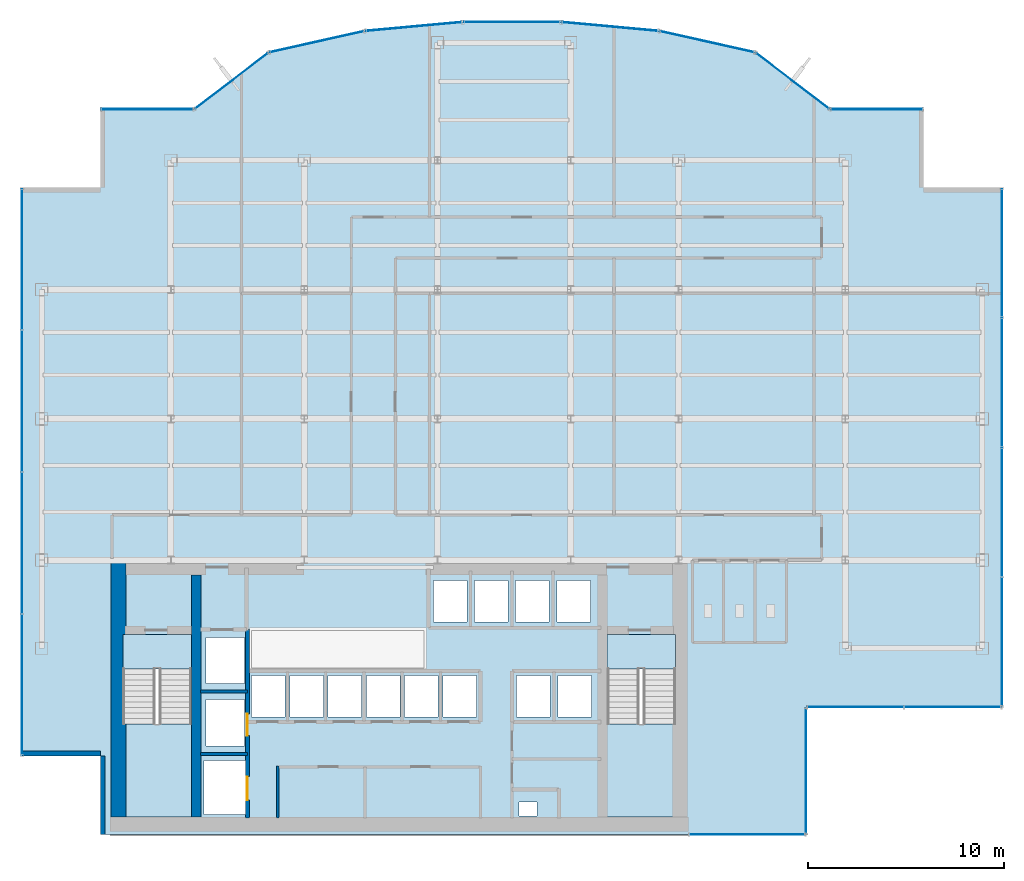
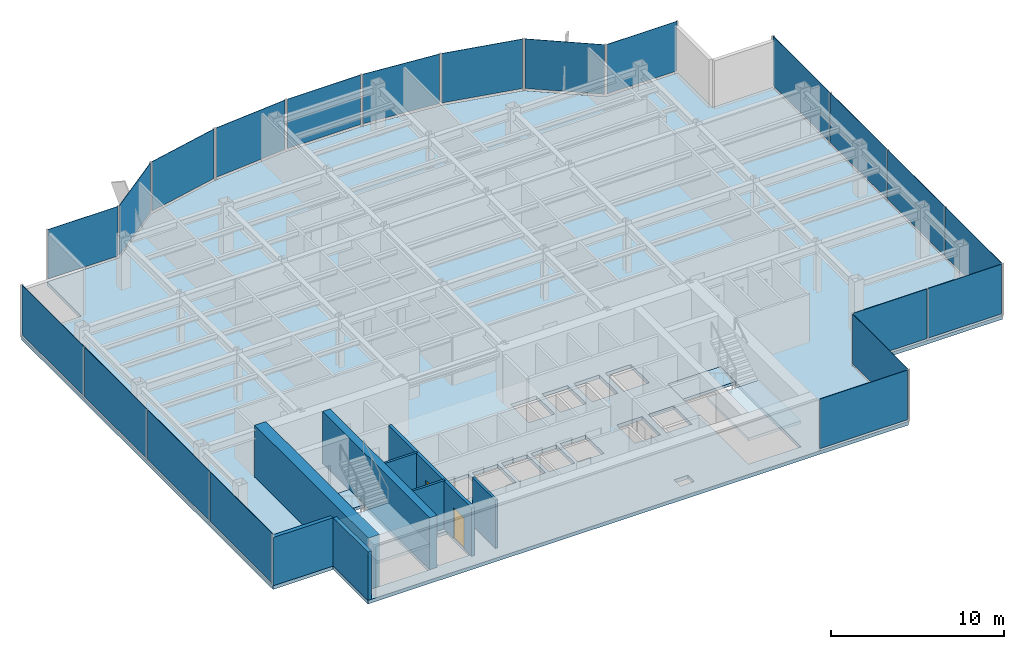
# One storey, part 19 of 25: 21 plates, 8 walls, 5 slabs, 2 doors, 2 openings, 16 elements without a shape of their own.
"""IFC4 building model written with IfcOpenShell, lengths in metres."""

from ifc_helpers import new_model, si_unit, derived_unit, direction, frame, frame_2d, origin, origin_2d, place, context, subcontext, project, spatial, polyline, rectangle, outline, extrude, source, transform, mapped, material, layer, layer_set, type_object, element, fill, aggregate, save


model = new_model("IFC4")

# Units and contexts
model_context = context("Model", 3, precision=1e-05, world=origin(), true_north=direction((0.0, 1.0)))
body_context = subcontext(model_context, "Body", "Model", "MODEL_VIEW")
ifc_project = project(units=[si_unit("LENGTHUNIT", "METRE"), si_unit("AREAUNIT", "SQUARE_METRE"), si_unit("VOLUMEUNIT", "CUBIC_METRE"), si_unit("PLANEANGLEUNIT", "RADIAN"), si_unit("MASSUNIT", "GRAM", prefix="KILO"), derived_unit("THERMALTRANSMITTANCEUNIT", [(si_unit("POWERUNIT", "WATT"), 1), (si_unit("LENGTHUNIT", "METRE"), -2), (si_unit("THERMODYNAMICTEMPERATUREUNIT", "KELVIN"), -1)])], contexts=[model_context])

# Site, building, storey
site_placement = place(None, origin())
site = spatial("IfcSite", under=ifc_project, at=site_placement, CompositionType="ELEMENT")
building_placement = place(site_placement, origin())
building = spatial("IfcBuilding", under=site, at=building_placement, Name="Skarnbrae Concourse Arena and Tower", CompositionType="ELEMENT")
storey_placement = place(building_placement, frame((0.0, 0.0, 158.85009765625)))
storey = spatial("IfcBuildingStorey", under=building, at=storey_placement, Name="L40", CompositionType="ELEMENT", Elevation=158.85009765625)

# Stair, slab
ifc_material_1 = material(Name="Concrete 40 MPa (C40/50)", Category="concrete")
stair_type = type_object("IfcStairType", Name="STAIR-DOGLEG-1650", PredefinedType="HALF_TURN_STAIR", material=ifc_material_1)
stair_1_placement = place(storey_placement, origin())
stair_1 = element("IfcStair", 1, at=stair_1_placement, inside=storey, type_object=stair_type, Name="L40 Protected Exit Stair ST-1", PredefinedType="HALF_TURN_STAIR")
ifc_layer_1 = layer(ifc_material_1, 0.199951171875)
ifc_layer_set_1 = layer_set([ifc_layer_1], Name="Concrete 40 MPa (C40/50)")
slab_type_1 = type_object("IfcSlabType", Name="SLAB-LANDING-200", PredefinedType="LANDING", material=ifc_layer_set_1)
slab_1_placement = place(storey_placement, frame((0.0, 0.0, 1.625)))
slab_1 = element("IfcSlab", 2, at=slab_1_placement, type_object=slab_type_1, Name="ST-1 landing 1", PredefinedType="LANDING", context=body_context, shape_type="SweptSolid", body=[
    extrude(outline(polyline([(5.14990234375, 5.64990234375), (5.14990234375, 0.89990234375), (8.64990234375, 0.89990234375), (8.64990234375, 5.64990234375), (5.14990234375, 5.64990234375)])), origin(), (0.0, 0.0, 1.0), 0.199951171875),
])
aggregate(stair_1, [slab_1])

stair_2_placement = place(storey_placement, origin())
stair_2 = element("IfcStair", 3, at=stair_2_placement, inside=storey, type_object=stair_type, Name="L40 Protected Exit Stair ST-2", PredefinedType="HALF_TURN_STAIR")
slab_2_placement = place(storey_placement, frame((0.0, 0.0, 1.625)))
slab_2 = element("IfcSlab", 4, at=slab_2_placement, type_object=slab_type_1, Name="ST-2 landing 1", PredefinedType="LANDING", context=body_context, shape_type="SweptSolid", body=[
    extrude(outline(polyline([(29.85009765625, 5.64990234375), (29.85009765625, 0.89990234375), (33.35009765625, 0.89990234375), (33.35009765625, 5.64990234375), (29.85009765625, 5.64990234375)])), origin(), (0.0, 0.0, 1.0), 0.199951171875),
])
aggregate(stair_2, [slab_2])

# Slabs
slab_3_placement = place(storey_placement, frame((0.0, 0.0, -0.2001953125)))
element("IfcSlab", 5, at=slab_3_placement, inside=storey, type_object=slab_type_1, Name="L40 Core stair ST1 floor landing", PredefinedType="LANDING", context=body_context, shape_type="SweptSolid", body=[
    extrude(outline(polyline([(5.14990234375, 10.199951171875), (5.14990234375, 8.449951171875), (8.64990234375, 8.449951171875), (8.64990234375, 10.199951171875), (5.14990234375, 10.199951171875)])), origin(), (0.0, 0.0, 1.0), 0.2001953125),
])
slab_4_placement = place(storey_placement, frame((0.0, 0.0, -0.2001953125)))
element("IfcSlab", 6, at=slab_4_placement, inside=storey, type_object=slab_type_1, Name="L40 Core stair ST2 floor landing", PredefinedType="LANDING", context=body_context, shape_type="SweptSolid", body=[
    extrude(outline(polyline([(29.85009765625, 10.199951171875), (29.85009765625, 8.449951171875), (33.35009765625, 8.449951171875), (33.35009765625, 10.199951171875), (29.85009765625, 10.199951171875)])), origin(), (0.0, 0.0, 1.0), 0.2001953125),
])
ifc_layer_2 = layer(ifc_material_1, 0.25)
ifc_layer_set_2 = layer_set([ifc_layer_2], Name="Concrete 40 MPa (C40/50)")
slab_type_2 = type_object("IfcSlabType", Name="SLAB-TOWER-250", PredefinedType="FLOOR", material=ifc_layer_set_2)
slab_5_placement = place(storey_placement, frame((0.0, 0.0, -0.25)))
element("IfcSlab", 7, at=slab_5_placement, inside=storey, type_object=slab_type_2, Name="L40 Structural floor slab", PredefinedType="FLOOR", context=body_context, shape_type="SweptSolid", body=[
    extrude(outline(polyline([(4.0, 0.0), (40.0, 0.0), (40.0, 6.5), (50.0, 6.5), (50.0, 33.0), (46.0, 33.0), (46.0, 37.0), (41.199951171875, 37.0), (37.409423828125, 39.892578125), (32.51220703125, 40.98681640625), (27.51123046875, 41.445556640625), (22.48876953125, 41.445556640625), (17.48779296875, 40.98681640625), (12.590576171875, 39.892578125), (8.800048828125, 37.0), (4.0, 37.0), (4.0, 33.0), (0.0, 33.0), (0.0, 4.0), (4.0, 4.0), (4.0, 0.0)]), holes=[polyline([(9.294921875, 3.780029296875), (11.455078125, 3.780029296875), (11.455078125, 1.02001953125), (9.294921875, 1.02001953125), (9.294921875, 3.780029296875)]), polyline([(8.64990234375, 10.199951171875), (8.64990234375, 0.89990234375), (5.14990234375, 0.89990234375), (5.14990234375, 10.199951171875), (8.64990234375, 10.199951171875)]), polyline([(9.39501953125, 6.8798828125), (11.35498046875, 6.8798828125), (11.35498046875, 4.52001953125), (9.39501953125, 4.52001953125), (9.39501953125, 6.8798828125)]), polyline([(11.719970703125, 8.10498046875), (13.429931640625, 8.10498046875), (13.429931640625, 5.9951171875), (11.719970703125, 5.9951171875), (11.719970703125, 8.10498046875)]), polyline([(13.669921875, 8.10498046875), (15.3798828125, 8.10498046875), (15.3798828125, 5.9951171875), (13.669921875, 5.9951171875), (13.669921875, 8.10498046875)]), polyline([(15.6201171875, 8.10498046875), (17.330078125, 8.10498046875), (17.330078125, 5.9951171875), (15.6201171875, 5.9951171875), (15.6201171875, 8.10498046875)]), polyline([(17.570068359375, 8.10498046875), (19.280029296875, 8.10498046875), (19.280029296875, 5.9951171875), (17.570068359375, 5.9951171875), (17.570068359375, 8.10498046875)]), polyline([(21.22998046875, 8.10498046875), (21.22998046875, 5.9951171875), (19.52001953125, 5.9951171875), (19.52001953125, 8.10498046875), (21.22998046875, 8.10498046875)]), polyline([(11.35498046875, 10.054931640625), (11.35498046875, 7.695068359375), (9.39501953125, 7.695068359375), (9.39501953125, 10.054931640625), (11.35498046875, 10.054931640625)]), polyline([(25.35009765625, 1.669921875), (26.280029296875, 1.669921875), (26.280029296875, 0.949951171875), (25.35009765625, 0.949951171875), (25.35009765625, 1.669921875)]), polyline([(33.35009765625, 10.199951171875), (33.35009765625, 0.89990234375), (29.85009765625, 0.89990234375), (29.85009765625, 10.199951171875), (33.35009765625, 10.199951171875)]), polyline([(21.469970703125, 8.10498046875), (23.179931640625, 8.10498046875), (23.179931640625, 5.9951171875), (21.469970703125, 5.9951171875), (21.469970703125, 8.10498046875)]), polyline([(25.235107421875, 8.10498046875), (26.945068359375, 8.10498046875), (26.945068359375, 5.9951171875), (25.235107421875, 5.9951171875), (25.235107421875, 8.10498046875)]), polyline([(27.3349609375, 8.10498046875), (29.044921875, 8.10498046875), (29.044921875, 5.9951171875), (27.3349609375, 5.9951171875), (27.3349609375, 8.10498046875)]), polyline([(20.985107421875, 12.955078125), (22.695068359375, 12.955078125), (22.695068359375, 10.844970703125), (20.985107421875, 10.844970703125), (20.985107421875, 12.955078125)]), polyline([(23.0849609375, 12.955078125), (24.794921875, 12.955078125), (24.794921875, 10.844970703125), (23.0849609375, 10.844970703125), (23.0849609375, 12.955078125)]), polyline([(26.89501953125, 12.955078125), (26.89501953125, 10.844970703125), (25.18505859375, 10.844970703125), (25.18505859375, 12.955078125), (26.89501953125, 12.955078125)]), polyline([(28.9951171875, 12.955078125), (28.9951171875, 10.844970703125), (27.284912109375, 10.844970703125), (27.284912109375, 12.955078125), (28.9951171875, 12.955078125)])]), origin(), (0.0, 0.0, 1.0), 0.25),
])

# Curtain wall, plates
ifc_material_2 = material(Name="Bronze anodised aluminium 6063-T6", Category="aluminium")
curtain_wall_type_1 = type_object("IfcCurtainWallType", Name="CW-SYS-04-MIDZONE", PredefinedType="USERDEFINED", material=ifc_material_2)
curtain_wall_1_placement = place(storey_placement, origin())
curtain_wall_1 = element("IfcCurtainWall", 8, at=curtain_wall_1_placement, inside=storey, type_object=curtain_wall_type_1, Name="L40 Unitised curtain wall CW-L40-E03", ObjectType="UNITISED CURTAIN WALL", PredefinedType="USERDEFINED")
ifc_material_3 = material(Name="Low-E triple insulating glass", Category="glass")
ifc_layer_3 = layer(ifc_material_3, 0.031982421875)
ifc_layer_set_3 = layer_set([ifc_layer_3], Name="Low-E triple insulating glass")
plate_type_1 = type_object("IfcPlateType", Name="CWP-CW-04", PredefinedType="CURTAIN_PANEL", material=ifc_layer_set_3)
shared_shape_1 = source(origin(), body_context, "Body", "SweptSolid", [
    extrude(rectangle(XDim=4.887451171875, YDim=0.031982421875, at=origin_2d()), origin(), (0.0, 0.0, 1.0), 3.489990234375),
])
plate_1_placement = place(storey_placement, frame((42.518798828125, 6.5, 0.15966796875), z_axis=(0.0, 0.0, 1.0), x_axis=(1.0, 0.0, 0.0)))
plate_1 = element("IfcPlate", 9, at=plate_1_placement, type_object=plate_type_1, Name="CW-L40-E03 Low-E Glazing Panel 1", PredefinedType="CURTAIN_PANEL", context=body_context, shape_type="MappedRepresentation", body=[
    mapped(shared_shape_1, transform((0.0, 0.0, 0.0))),
])
plate_2_placement = place(storey_placement, frame((47.481201171875, 6.5, 0.15966796875), z_axis=(0.0, 0.0, 1.0), x_axis=(1.0, 0.0, 0.0)))
plate_2 = element("IfcPlate", 10, at=plate_2_placement, type_object=plate_type_1, Name="CW-L40-E03 Low-E Glazing Panel 2", PredefinedType="CURTAIN_PANEL", context=body_context, shape_type="MappedRepresentation", body=[
    mapped(shared_shape_1, transform((0.0, 0.0, 0.0))),
])
aggregate(curtain_wall_1, [plate_1, plate_2])

# Curtain wall, plate
curtain_wall_2_placement = place(storey_placement, origin())
curtain_wall_2 = element("IfcCurtainWall", 11, at=curtain_wall_2_placement, inside=storey, type_object=curtain_wall_type_1, Name="L40 Unitised curtain wall CW-L40-SE-SPINE", ObjectType="UNITISED CURTAIN WALL", PredefinedType="USERDEFINED")
shared_shape_2 = source(origin(), body_context, "Body", "SweptSolid", [
    extrude(rectangle(XDim=5.85009765625, YDim=0.031982421875, at=origin_2d()), origin(), (0.0, 0.0, 1.0), 3.489990234375),
])
plate_3_placement = place(storey_placement, frame((37.0, 0.0, 0.15966796875), z_axis=(0.0, 0.0, 1.0), x_axis=(1.0, 0.0, 0.0)))
plate_3 = element("IfcPlate", 12, at=plate_3_placement, type_object=plate_type_1, Name="CW-L40-SE-SPINE Low-E Glazing Panel 1", PredefinedType="CURTAIN_PANEL", context=body_context, shape_type="MappedRepresentation", body=[
    mapped(shared_shape_2, transform((0.0, 0.0, 0.0))),
])
aggregate(curtain_wall_2, [plate_3])

curtain_wall_3_placement = place(storey_placement, origin())
curtain_wall_3 = element("IfcCurtainWall", 13, at=curtain_wall_3_placement, inside=storey, type_object=curtain_wall_type_1, Name="L40 Unitised curtain wall CW-L40-E02", ObjectType="UNITISED CURTAIN WALL", PredefinedType="USERDEFINED")
shared_shape_3 = source(origin(), body_context, "Body", "SweptSolid", [
    extrude(rectangle(XDim=6.35009765625, YDim=0.031982421875, at=origin_2d()), origin(), (0.0, 0.0, 1.0), 3.489990234375),
])
plate_4_placement = place(storey_placement, frame((40.0, 3.25, 0.15966796875), z_axis=(0.0, 0.0, 1.0), x_axis=(0.0, 1.0, 0.0)))
plate_4 = element("IfcPlate", 14, at=plate_4_placement, type_object=plate_type_1, Name="CW-L40-E02 Low-E Glazing Panel 1", PredefinedType="CURTAIN_PANEL", context=body_context, shape_type="MappedRepresentation", body=[
    mapped(shared_shape_3, transform((0.0, 0.0, 0.0))),
])
aggregate(curtain_wall_3, [plate_4])

curtain_wall_4_placement = place(storey_placement, origin())
curtain_wall_4 = element("IfcCurtainWall", 15, at=curtain_wall_4_placement, inside=storey, type_object=curtain_wall_type_1, Name="L40 Unitised curtain wall CW-L40-E07", ObjectType="UNITISED CURTAIN WALL", PredefinedType="USERDEFINED")
shared_shape_4 = source(origin(), body_context, "Body", "SweptSolid", [
    extrude(rectangle(XDim=4.64990234375, YDim=0.031982421875, at=origin_2d()), origin(), (0.0, 0.0, 1.0), 3.489990234375),
])
plate_5_placement = place(storey_placement, frame((43.60009765625, 37.0, 0.15966796875), z_axis=(0.0, 0.0, 1.0), x_axis=(-1.0, 0.0, 0.0)))
plate_5 = element("IfcPlate", 16, at=plate_5_placement, type_object=plate_type_1, Name="CW-L40-E07 Low-E Glazing Panel 1", PredefinedType="CURTAIN_PANEL", context=body_context, shape_type="MappedRepresentation", body=[
    mapped(shared_shape_4, transform((0.0, 0.0, 0.0))),
])
aggregate(curtain_wall_4, [plate_5])

curtain_wall_5_placement = place(storey_placement, origin())
curtain_wall_5 = element("IfcCurtainWall", 17, at=curtain_wall_5_placement, inside=storey, type_object=curtain_wall_type_1, Name="L40 Unitised curtain wall CW-L40-E15", ObjectType="UNITISED CURTAIN WALL", PredefinedType="USERDEFINED")
plate_6_placement = place(storey_placement, frame((6.39990234375, 37.0, 0.15966796875), z_axis=(0.0, 0.0, 1.0), x_axis=(-1.0, 0.0, 0.0)))
plate_6 = element("IfcPlate", 18, at=plate_6_placement, type_object=plate_type_1, Name="CW-L40-E15 Low-E Glazing Panel 1", PredefinedType="CURTAIN_PANEL", context=body_context, shape_type="MappedRepresentation", body=[
    mapped(shared_shape_4, transform((0.0, 0.0, 0.0))),
])
aggregate(curtain_wall_5, [plate_6])

curtain_wall_6_placement = place(storey_placement, origin())
curtain_wall_6 = element("IfcCurtainWall", 19, at=curtain_wall_6_placement, inside=storey, type_object=curtain_wall_type_1, Name="L40 Unitised curtain wall CW-L40-E08", ObjectType="UNITISED CURTAIN WALL", PredefinedType="USERDEFINED")
shared_shape_5 = source(origin(), body_context, "Body", "SweptSolid", [
    extrude(rectangle(XDim=4.6181640625, YDim=0.031982421875, at=origin_2d()), origin(), (0.0, 0.0, 1.0), 3.489990234375),
])
plate_7_placement = place(storey_placement, frame((39.3046875, 38.4462890625, 0.15966796875), z_axis=(0.0, 0.0, 1.0), x_axis=(-0.794956000706, 0.606667089054, 0.0)))
plate_7 = element("IfcPlate", 20, at=plate_7_placement, type_object=plate_type_1, Name="CW-L40-E08 Low-E Glazing Panel 1", PredefinedType="CURTAIN_PANEL", context=body_context, shape_type="MappedRepresentation", body=[
    mapped(shared_shape_5, transform((0.0, 0.0, 0.0))),
])
aggregate(curtain_wall_6, [plate_7])

curtain_wall_7_placement = place(storey_placement, origin())
curtain_wall_7 = element("IfcCurtainWall", 21, at=curtain_wall_7_placement, inside=storey, type_object=curtain_wall_type_1, Name="L40 Unitised curtain wall CW-L40-E14", ObjectType="UNITISED CURTAIN WALL", PredefinedType="USERDEFINED")
plate_8_placement = place(storey_placement, frame((10.6953125, 38.4462890625, 0.15966796875), z_axis=(0.0, 0.0, 1.0), x_axis=(-0.794956000706, -0.606667089054, 0.0)))
plate_8 = element("IfcPlate", 22, at=plate_8_placement, type_object=plate_type_1, Name="CW-L40-E14 Low-E Glazing Panel 1", PredefinedType="CURTAIN_PANEL", context=body_context, shape_type="MappedRepresentation", body=[
    mapped(shared_shape_5, transform((0.0, 0.0, 0.0))),
])
aggregate(curtain_wall_7, [plate_8])

# Curtain wall, plates
curtain_wall_8_placement = place(storey_placement, origin())
curtain_wall_8 = element("IfcCurtainWall", 23, at=curtain_wall_8_placement, inside=storey, type_object=curtain_wall_type_1, Name="L40 Unitised curtain wall CW-L40-E18", ObjectType="UNITISED CURTAIN WALL", PredefinedType="USERDEFINED")
shared_shape_6 = source(origin(), body_context, "Body", "SweptSolid", [
    extrude(rectangle(XDim=7.137451171875, YDim=0.031982421875, at=origin_2d()), origin(), (0.0, 0.0, 1.0), 3.489990234375),
])
plate_9_placement = place(storey_placement, frame((0.0, 29.356201171875, 0.15966796875), z_axis=(0.0, 0.0, 1.0), x_axis=(0.0, -1.0, 0.0)))
plate_9 = element("IfcPlate", 24, at=plate_9_placement, type_object=plate_type_1, Name="CW-L40-E18 Low-E Glazing Panel 1", PredefinedType="CURTAIN_PANEL", context=body_context, shape_type="MappedRepresentation", body=[
    mapped(shared_shape_6, transform((0.0, 0.0, 0.0))),
])
plate_10_placement = place(storey_placement, frame((0.0, 7.643798828125, 0.15966796875), z_axis=(0.0, 0.0, 1.0), x_axis=(0.0, -1.0, 0.0)))
plate_10 = element("IfcPlate", 25, at=plate_10_placement, type_object=plate_type_1, Name="CW-L40-E18 Low-E Glazing Panel 4", PredefinedType="CURTAIN_PANEL", context=body_context, shape_type="MappedRepresentation", body=[
    mapped(shared_shape_6, transform((0.0, 0.0, 0.0))),
])
shared_shape_7 = source(origin(), body_context, "Body", "SweptSolid", [
    extrude(rectangle(XDim=7.175048828125, YDim=0.031982421875, at=origin_2d()), origin(), (0.0, 0.0, 1.0), 3.489990234375),
])
plate_11_placement = place(storey_placement, frame((0.0, 22.125, 0.15966796875), z_axis=(0.0, 0.0, 1.0), x_axis=(0.0, -1.0, 0.0)))
plate_11 = element("IfcPlate", 26, at=plate_11_placement, type_object=plate_type_1, Name="CW-L40-E18 Low-E Glazing Panel 2", PredefinedType="CURTAIN_PANEL", context=body_context, shape_type="MappedRepresentation", body=[
    mapped(shared_shape_7, transform((0.0, 0.0, 0.0))),
])
plate_12_placement = place(storey_placement, frame((0.0, 14.875, 0.15966796875), z_axis=(0.0, 0.0, 1.0), x_axis=(0.0, -1.0, 0.0)))
plate_12 = element("IfcPlate", 27, at=plate_12_placement, type_object=plate_type_1, Name="CW-L40-E18 Low-E Glazing Panel 3", PredefinedType="CURTAIN_PANEL", context=body_context, shape_type="MappedRepresentation", body=[
    mapped(shared_shape_7, transform((0.0, 0.0, 0.0))),
])
aggregate(curtain_wall_8, [plate_9, plate_11, plate_12, plate_10])

curtain_wall_9_placement = place(storey_placement, origin())
curtain_wall_9 = element("IfcCurtainWall", 28, at=curtain_wall_9_placement, inside=storey, type_object=curtain_wall_type_1, Name="L40 Unitised curtain wall CW-L40-E04", ObjectType="UNITISED CURTAIN WALL", PredefinedType="USERDEFINED")
shared_shape_8 = source(origin(), body_context, "Body", "SweptSolid", [
    extrude(rectangle(XDim=6.512451171875, YDim=0.031982421875, at=origin_2d()), origin(), (0.0, 0.0, 1.0), 3.489990234375),
])
plate_13_placement = place(storey_placement, frame((50.0, 9.831298828125, 0.15966796875), z_axis=(0.0, 0.0, 1.0), x_axis=(0.0, 1.0, 0.0)))
plate_13 = element("IfcPlate", 29, at=plate_13_placement, type_object=plate_type_1, Name="CW-L40-E04 Low-E Glazing Panel 1", PredefinedType="CURTAIN_PANEL", context=body_context, shape_type="MappedRepresentation", body=[
    mapped(shared_shape_8, transform((0.0, 0.0, 0.0))),
])
plate_14_placement = place(storey_placement, frame((50.0, 29.668701171875, 0.15966796875), z_axis=(0.0, 0.0, 1.0), x_axis=(0.0, 1.0, 0.0)))
plate_14 = element("IfcPlate", 30, at=plate_14_placement, type_object=plate_type_1, Name="CW-L40-E04 Low-E Glazing Panel 4", PredefinedType="CURTAIN_PANEL", context=body_context, shape_type="MappedRepresentation", body=[
    mapped(shared_shape_8, transform((0.0, 0.0, 0.0))),
])
shared_shape_9 = source(origin(), body_context, "Body", "SweptSolid", [
    extrude(rectangle(XDim=6.550048828125, YDim=0.031982421875, at=origin_2d()), origin(), (0.0, 0.0, 1.0), 3.489990234375),
])
plate_15_placement = place(storey_placement, frame((50.0, 16.4375, 0.15966796875), z_axis=(0.0, 0.0, 1.0), x_axis=(0.0, 1.0, 0.0)))
plate_15 = element("IfcPlate", 31, at=plate_15_placement, type_object=plate_type_1, Name="CW-L40-E04 Low-E Glazing Panel 2", PredefinedType="CURTAIN_PANEL", context=body_context, shape_type="MappedRepresentation", body=[
    mapped(shared_shape_9, transform((0.0, 0.0, 0.0))),
])
plate_16_placement = place(storey_placement, frame((50.0, 23.0625, 0.15966796875), z_axis=(0.0, 0.0, 1.0), x_axis=(0.0, 1.0, 0.0)))
plate_16 = element("IfcPlate", 32, at=plate_16_placement, type_object=plate_type_1, Name="CW-L40-E04 Low-E Glazing Panel 3", PredefinedType="CURTAIN_PANEL", context=body_context, shape_type="MappedRepresentation", body=[
    mapped(shared_shape_9, transform((0.0, 0.0, 0.0))),
])
aggregate(curtain_wall_9, [plate_13, plate_15, plate_16, plate_14])

# Curtain wall, plate
curtain_wall_type_2 = type_object("IfcCurtainWallType", Name="CW-SYS-03-PORTAL", PredefinedType="USERDEFINED", material=ifc_material_2)
curtain_wall_10_placement = place(storey_placement, origin())
curtain_wall_10 = element("IfcCurtainWall", 33, at=curtain_wall_10_placement, inside=storey, type_object=curtain_wall_type_2, Name="L40 Unitised curtain wall CW-L40-E09", ObjectType="UNITISED CURTAIN WALL", PredefinedType="USERDEFINED")
ifc_layer_4 = layer(ifc_material_3, 0.033935546875)
ifc_layer_set_4 = layer_set([ifc_layer_4], Name="Low-E triple insulating glass")
plate_type_2 = type_object("IfcPlateType", Name="CWP-CW-03", PredefinedType="CURTAIN_PANEL", material=ifc_layer_set_4)
shared_shape_10 = source(origin(), body_context, "Body", "SweptSolid", [
    extrude(rectangle(XDim=4.85791015625, YDim=0.033935546875, at=origin_2d()), origin(), (0.0, 0.0, 1.0), 3.47998046875),
])
plate_17_placement = place(storey_placement, frame((34.9609375, 40.439697265625, 0.169921875), z_axis=(0.0, 0.0, 1.0), x_axis=(-0.975936175393, 0.218056372433, 0.0)))
plate_17 = element("IfcPlate", 34, at=plate_17_placement, type_object=plate_type_2, Name="CW-L40-E09 Low-E Glazing Panel 1", PredefinedType="CURTAIN_PANEL", context=body_context, shape_type="MappedRepresentation", body=[
    mapped(shared_shape_10, transform((0.0, 0.0, 0.0))),
])
aggregate(curtain_wall_10, [plate_17])

curtain_wall_11_placement = place(storey_placement, origin())
curtain_wall_11 = element("IfcCurtainWall", 35, at=curtain_wall_11_placement, inside=storey, type_object=curtain_wall_type_2, Name="L40 Unitised curtain wall CW-L40-E13", ObjectType="UNITISED CURTAIN WALL", PredefinedType="USERDEFINED")
plate_18_placement = place(storey_placement, frame((15.0390625, 40.439697265625, 0.169921875), z_axis=(0.0, 0.0, 1.0), x_axis=(-0.975936175393, -0.218056372433, 0.0)))
plate_18 = element("IfcPlate", 36, at=plate_18_placement, type_object=plate_type_2, Name="CW-L40-E13 Low-E Glazing Panel 1", PredefinedType="CURTAIN_PANEL", context=body_context, shape_type="MappedRepresentation", body=[
    mapped(shared_shape_10, transform((0.0, 0.0, 0.0))),
])
aggregate(curtain_wall_11, [plate_18])

curtain_wall_12_placement = place(storey_placement, origin())
curtain_wall_12 = element("IfcCurtainWall", 37, at=curtain_wall_12_placement, inside=storey, type_object=curtain_wall_type_2, Name="L40 Unitised curtain wall CW-L40-E10", ObjectType="UNITISED CURTAIN WALL", PredefinedType="USERDEFINED")
shared_shape_11 = source(origin(), body_context, "Body", "SweptSolid", [
    extrude(rectangle(XDim=4.862060546875, YDim=0.033935546875, at=origin_2d()), origin(), (0.0, 0.0, 1.0), 3.47998046875),
])
plate_19_placement = place(storey_placement, frame((30.01171875, 41.21630859375, 0.169921875), z_axis=(0.0, 0.0, 1.0), x_axis=(-0.995819926016, 0.091338244731, 0.0)))
plate_19 = element("IfcPlate", 38, at=plate_19_placement, type_object=plate_type_2, Name="CW-L40-E10 Low-E Glazing Panel 1", PredefinedType="CURTAIN_PANEL", context=body_context, shape_type="MappedRepresentation", body=[
    mapped(shared_shape_11, transform((0.0, 0.0, 0.0))),
])
aggregate(curtain_wall_12, [plate_19])

curtain_wall_13_placement = place(storey_placement, origin())
curtain_wall_13 = element("IfcCurtainWall", 39, at=curtain_wall_13_placement, inside=storey, type_object=curtain_wall_type_2, Name="L40 Unitised curtain wall CW-L40-E12", ObjectType="UNITISED CURTAIN WALL", PredefinedType="USERDEFINED")
plate_20_placement = place(storey_placement, frame((19.98828125, 41.21630859375, 0.169921875), z_axis=(0.0, 0.0, 1.0), x_axis=(-0.995819926016, -0.091338244731, 0.0)))
plate_20 = element("IfcPlate", 40, at=plate_20_placement, type_object=plate_type_2, Name="CW-L40-E12 Low-E Glazing Panel 1", PredefinedType="CURTAIN_PANEL", context=body_context, shape_type="MappedRepresentation", body=[
    mapped(shared_shape_11, transform((0.0, 0.0, 0.0))),
])
aggregate(curtain_wall_13, [plate_20])

curtain_wall_14_placement = place(storey_placement, origin())
curtain_wall_14 = element("IfcCurtainWall", 41, at=curtain_wall_14_placement, inside=storey, type_object=curtain_wall_type_2, Name="L40 Unitised curtain wall CW-L40-E11", ObjectType="UNITISED CURTAIN WALL", PredefinedType="USERDEFINED")
shared_shape_12 = source(origin(), body_context, "Body", "SweptSolid", [
    extrude(rectangle(XDim=4.862548828125, YDim=0.033935546875, at=origin_2d()), origin(), (0.0, 0.0, 1.0), 3.47998046875),
])
plate_21_placement = place(storey_placement, frame((25.0, 41.445556640625, 0.169921875), z_axis=(0.0, 0.0, 1.0), x_axis=(-1.0, 0.0, 0.0)))
plate_21 = element("IfcPlate", 42, at=plate_21_placement, type_object=plate_type_2, Name="CW-L40-E11 Low-E Glazing Panel 1", PredefinedType="CURTAIN_PANEL", context=body_context, shape_type="MappedRepresentation", body=[
    mapped(shared_shape_12, transform((0.0, 0.0, 0.0))),
])
aggregate(curtain_wall_14, [plate_21])

# Walls
ifc_material_4 = material(Name="Concrete 60 MPa (C60/75)", Category="concrete")
ifc_layer_5 = layer(ifc_material_4, 0.75)
ifc_layer_set_5 = layer_set([ifc_layer_5], Name="Concrete 60 MPa (C60/75)")
wall_type_1 = type_object("IfcWallType", Name="WALL-CORE-750-C60", PredefinedType="SHEAR", material=ifc_layer_set_5)
shared_shape_13 = source(origin(), body_context, "Body", "SweptSolid", [
    extrude(rectangle(XDim=13.10009765625, YDim=0.75, at=frame_2d((6.550048828125, 0.0))), origin(), (0.0, 0.0, 1.0), 3.64990234375),
])
wall_1_placement = place(storey_placement, frame((4.925048828125, 0.89990234375, 0.0), z_axis=(0.0, 0.0, 1.0), x_axis=(0.0, 1.0, 0.0)))
element("IfcWall", 43, at=wall_1_placement, inside=storey, type_object=wall_type_1, Name="L40 Rear core shear wall CW-W", PredefinedType="SHEAR", context=body_context, shape_type="MappedRepresentation", body=[
    mapped(shared_shape_13, transform((0.0, 0.0, 0.0))),
])
ifc_layer_6 = layer(ifc_material_4, 0.5)
ifc_layer_set_6 = layer_set([ifc_layer_6], Name="Concrete 60 MPa (C60/75)")
wall_type_2 = type_object("IfcWallType", Name="WALL-CORE-500-C60", PredefinedType="SHEAR", material=ifc_layer_set_6)
shared_shape_14 = source(origin(), body_context, "Body", "SweptSolid", [
    extrude(rectangle(XDim=12.35009765625, YDim=0.5, at=frame_2d((6.175048828125, 0.0))), origin(), (0.0, 0.0, 1.0), 3.64990234375),
])
wall_2_placement = place(storey_placement, frame((8.889892578125, 0.89990234375, 0.0), z_axis=(0.0, 0.0, 1.0), x_axis=(0.0, 1.0, 0.0)))
element("IfcWall", 44, at=wall_2_placement, inside=storey, type_object=wall_type_2, Name="L40 Rear core shear wall CW-WEB-W", PredefinedType="SHEAR", context=body_context, shape_type="MappedRepresentation", body=[
    mapped(shared_shape_14, transform((0.0, 0.0, 0.0))),
])
ifc_material_5 = material(Name="Precast concrete 40 MPa (C40/50)", Category="concrete")
ifc_layer_7 = layer(ifc_material_5, 0.25)
ifc_layer_set_7 = layer_set([ifc_layer_7], Name="Precast concrete 40 MPa (C40/50)")
wall_type_3 = type_object("IfcWallType", Name="WALL-EXT-SPANDREL-250", PredefinedType="STANDARD", material=ifc_layer_set_7)
shared_shape_15 = source(origin(), body_context, "Body", "SweptSolid", [
    extrude(rectangle(XDim=4.0, YDim=0.25, at=frame_2d((2.0, 0.0))), origin(), (0.0, 0.0, 1.0), 3.39990234375),
])
for number, where, z_axis, x_axis, name in (
    (45, (0.0, 4.125, 0.0), (0.0, 0.0, 1.0), (1.0, 0.0, 0.0), "L40 Notched corner insulated return wall 19"),
    (46, (4.125, 4.0, 0.0), (0.0, 0.0, 1.0), (0.0, -1.0, 0.0), "L40 Notched corner insulated return wall 20"),
):
    element("IfcWall", number, at=place(storey_placement, frame(where, z_axis=z_axis, x_axis=x_axis)), inside=storey, type_object=wall_type_3, Name=name, PredefinedType="STANDARD", context=body_context, shape_type="MappedRepresentation", body=[
        mapped(shared_shape_15, transform((0.0, 0.0, 0.0))),
    ])

# Wall, openings, doors
ifc_material_6 = material(Name="Gypsum board on cold-formed steel studs", Category="steel")
ifc_layer_8 = layer(ifc_material_6, 0.199951171875)
ifc_layer_set_8 = layer_set([ifc_layer_8], Name="Gypsum board on cold-formed steel studs")
wall_type_4 = type_object("IfcWallType", Name="WALL-PART-200-2HR", PredefinedType="PARTITIONING", material=ifc_layer_set_8)
shared_shape_16 = source(origin(), body_context, "Body", "SweptSolid", [
    extrude(rectangle(XDim=9.599853515625, YDim=0.199951171875, at=frame_2d((4.7998046875, 0.0))), origin(), (0.0, 0.0, 1.0), 3.39990234375),
])
wall_3_placement = place(storey_placement, frame((11.5, 0.85009765625, 0.0), z_axis=(0.0, 0.0, 1.0), x_axis=(0.0, 1.0, 0.0)))
wall_3 = element("IfcWall", 47, at=wall_3_placement, inside=storey, type_object=wall_type_4, Name="L40 Interior partition wall W-L40-FL-E", PredefinedType="PARTITIONING", context=body_context, shape_type="MappedRepresentation", body=[
    mapped(shared_shape_16, transform((0.0, 0.0, 0.0))),
])
opening_1_placement = place(wall_3_placement, frame((4.199951171875, 0.0, 0.0)))
opening_1 = element("IfcOpeningElement", 48, at=opening_1_placement, cuts=wall_3, Name="Opening LD-01", PredefinedType="OPENING", context=body_context, shape_type="SweptSolid", body=[
    extrude(rectangle(XDim=1.10009765625, YDim=2.14990234375, at=frame_2d((0.550048828125, 1.074951171875))), frame((0.0, 0.10986328125, 0.0), z_axis=(0.0, -1.0, 0.0), x_axis=(1.0, 0.0, 0.0)), (0.0, 0.0, 1.0), 0.219970703125),
])
opening_2_placement = place(wall_3_placement, frame((0.89990234375, 0.0, 0.0)))
opening_2 = element("IfcOpeningElement", 49, at=opening_2_placement, cuts=wall_3, Name="Opening LD-02", PredefinedType="OPENING", context=body_context, shape_type="SweptSolid", body=[
    extrude(rectangle(XDim=1.199951171875, YDim=2.14990234375, at=frame_2d((0.60009765625, 1.074951171875))), frame((0.0, 0.10986328125, 0.0), z_axis=(0.0, -1.0, 0.0), x_axis=(1.0, 0.0, 0.0)), (0.0, 0.0, 1.0), 0.219970703125),
])
ifc_material_7 = material(Name="Steel CSA G40.21 350W", Category="steel")
door_type_1 = type_object("IfcDoorType", Name="DOOR-LIFT-SLIDE-1100", OperationType="SLIDING_TO_LEFT", PredefinedType="DOOR", material=ifc_material_7)
shared_shape_17 = source(origin(), body_context, "Body", "SweptSolid", [
    extrude(rectangle(XDim=1.10009765625, YDim=2.14990234375, at=frame_2d((0.550048828125, 1.074951171875))), frame((0.0, 0.02490234375, 0.0), z_axis=(0.0, -1.0, 0.0), x_axis=(1.0, 0.0, 0.0)), (0.0, 0.0, 1.0), 0.050048828125),
])
door_1_placement = place(opening_1_placement, frame((1.10009765625, 0.0, 0.0), z_axis=(0.0, 0.0, 1.0), x_axis=(-1.0, 0.0, 0.0)))
door_1 = element("IfcDoor", 50, at=door_1_placement, inside=storey, type_object=door_type_1, Name="D-1240 Firefighting Lift Landing Door FL-02", OperationType="SLIDING_TO_LEFT", OverallHeight=2.14990234375, OverallWidth=1.10009765625, PredefinedType="DOOR", context=body_context, shape_type="MappedRepresentation", body=[
    mapped(shared_shape_17, transform((0.0, 0.0, 0.0))),
])
fill(opening_1, door_1)
door_type_2 = type_object("IfcDoorType", Name="DOOR-LIFT-SLIDE-1200", OperationType="SLIDING_TO_LEFT", PredefinedType="DOOR", material=ifc_material_7)
shared_shape_18 = source(origin(), body_context, "Body", "SweptSolid", [
    extrude(rectangle(XDim=1.199951171875, YDim=2.14990234375, at=frame_2d((0.60009765625, 1.074951171875))), frame((0.0, 0.02490234375, 0.0), z_axis=(0.0, -1.0, 0.0), x_axis=(1.0, 0.0, 0.0)), (0.0, 0.0, 1.0), 0.050048828125),
])
door_2_placement = place(opening_2_placement, frame((1.199951171875, 0.0, 0.0), z_axis=(0.0, 0.0, 1.0), x_axis=(-1.0, 0.0, 0.0)))
door_2 = element("IfcDoor", 51, at=door_2_placement, inside=storey, type_object=door_type_2, Name="D-1241 Service Lift Landing Door SV-01", OperationType="SLIDING_TO_LEFT", OverallHeight=2.14990234375, OverallWidth=1.199951171875, PredefinedType="DOOR", context=body_context, shape_type="MappedRepresentation", body=[
    mapped(shared_shape_18, transform((0.0, 0.0, 0.0))),
])
fill(opening_2, door_2)

# Walls
ifc_layer_9 = layer(ifc_material_6, 0.14990234375)
ifc_layer_set_9 = layer_set([ifc_layer_9], Name="Gypsum board on cold-formed steel studs")
wall_type_5 = type_object("IfcWallType", Name="WALL-PART-150", PredefinedType="PARTITIONING", material=ifc_layer_set_9)
shared_shape_19 = source(origin(), body_context, "Body", "SweptSolid", [
    extrude(rectangle(XDim=2.39990234375, YDim=0.14990234375, at=frame_2d((1.199951171875, 0.0))), origin(), (0.0, 0.0, 1.0), 3.39990234375),
])
for number, where, z_axis, x_axis, name in (
    (52, (9.10009765625, 4.10009765625, 0.0), (0.0, 0.0, 1.0), (1.0, 0.0, 0.0), "L40 Interior partition wall W-L40-FL-D1"),
    (53, (9.10009765625, 7.300048828125, 0.0), (0.0, 0.0, 1.0), (1.0, 0.0, 0.0), "L40 Interior partition wall W-L40-FL-D2"),
):
    element("IfcWall", number, at=place(storey_placement, frame(where, z_axis=z_axis, x_axis=x_axis)), inside=storey, type_object=wall_type_5, Name=name, PredefinedType="PARTITIONING", context=body_context, shape_type="MappedRepresentation", body=[
        mapped(shared_shape_19, transform((0.0, 0.0, 0.0))),
    ])
ifc_layer_10 = layer(ifc_material_6, 0.14990234375)
ifc_layer_set_10 = layer_set([ifc_layer_10], Name="Gypsum board on cold-formed steel studs")
wall_type_6 = type_object("IfcWallType", Name="WALL-PART-150-1HR", PredefinedType="PARTITIONING", material=ifc_layer_set_10)
shared_shape_20 = source(origin(), body_context, "Body", "SweptSolid", [
    extrude(rectangle(XDim=2.64990234375, YDim=0.14990234375, at=frame_2d((1.324951171875, 0.0))), origin(), (0.0, 0.0, 1.0), 3.39990234375),
])
wall_4_placement = place(storey_placement, frame((13.050048828125, 0.85009765625, 0.0), z_axis=(0.0, 0.0, 1.0), x_axis=(0.0, 1.0, 0.0)))
element("IfcWall", 54, at=wall_4_placement, inside=storey, type_object=wall_type_6, Name="L40 Interior partition wall W-L40-B1M-W", PredefinedType="PARTITIONING", context=body_context, shape_type="MappedRepresentation", body=[
    mapped(shared_shape_20, transform((0.0, 0.0, 0.0))),
])

save(model, "model.ifc")
